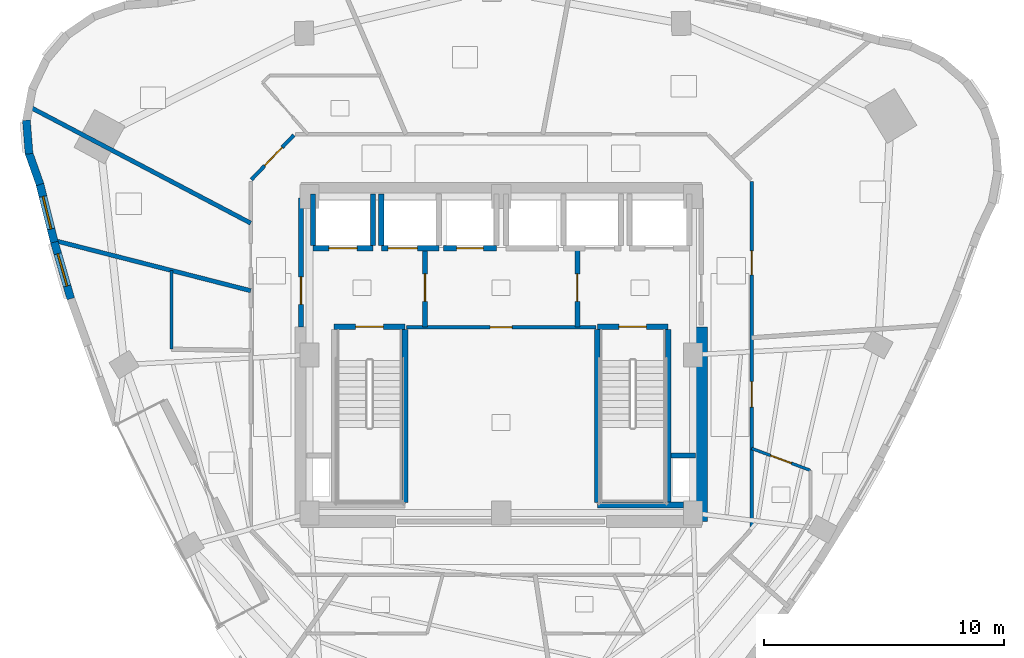
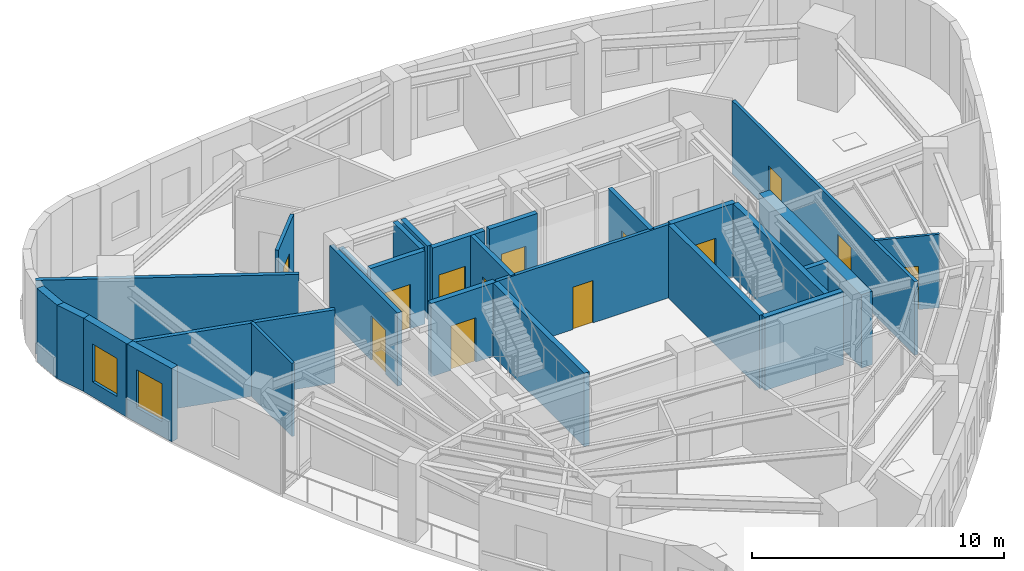
# One storey, part 7 of 12: 28 walls, 13 doors, 2 windows, 15 openings.
"""IFC4 building model written with IfcOpenShell, lengths in metres."""

from ifc_helpers import new_model, si_unit, direction, frame, frame_2d, origin, place, context, subcontext, project, spatial, rectangle, extrude, material, layer, layer_set, type_object, element, fill, save


model = new_model("IFC4")

# Units and contexts
model_context = context("Model", 3, precision=1e-05, world=origin(), true_north=direction((0.0, 1.0)))
body_context = subcontext(model_context, "Body", "Model", "MODEL_VIEW")
ifc_project = project(units=[si_unit("LENGTHUNIT", "METRE"), si_unit("AREAUNIT", "SQUARE_METRE"), si_unit("VOLUMEUNIT", "CUBIC_METRE"), si_unit("PLANEANGLEUNIT", "RADIAN"), si_unit("MASSUNIT", "GRAM", prefix="KILO")], contexts=[model_context])

# Site, building, storey
site_placement = place(None, origin())
site = spatial("IfcSite", under=ifc_project, at=site_placement, CompositionType="ELEMENT")
building_placement = place(site_placement, origin())
building = spatial("IfcBuilding", under=site, at=building_placement, Name="Ndelora Gate Hotel", CompositionType="ELEMENT")
storey_placement = place(building_placement, frame((0.0, 0.0, 194.14990234375)))
storey = spatial("IfcBuildingStorey", under=building, at=storey_placement, Name="L48", CompositionType="ELEMENT", Elevation=194.14990234375)

# Walls
ifc_material_1 = material(Name="Acoustic Double-Stud Gypsum Assembly", Category="gypsum")
ifc_layer_1 = layer(ifc_material_1, 0.179931640625)
ifc_layer_set_1 = layer_set([ifc_layer_1], Name="Acoustic Double-Stud Gypsum Assembly")
wall_type_1 = type_object("IfcWallType", Name="WL-ACOUST-180", PredefinedType="PARTITIONING", material=ifc_layer_set_1)
wall_1_placement = place(storey_placement, frame((-10.449951171875, 5.493408203125, 0.0), z_axis=(0.0, 0.0, 1.0), x_axis=(-0.885159330624, 0.465288039187, 0.0)))
element("IfcWall", 1, at=wall_1_placement, inside=storey, type_object=wall_type_1, Name="L48 Interior Wall IW-3", PredefinedType="PARTITIONING", context=body_context, shape_type="SweptSolid", body=[
    extrude(rectangle(XDim=10.4501953125, YDim=0.179931640625, at=frame_2d((5.22509765625, 0.0))), origin(), (0.0, 0.0, 1.0), 3.550048828125),
])
wall_2_placement = place(storey_placement, frame((-10.449951171875, 2.673583984375, 0.0), z_axis=(0.0, 0.0, 1.0), x_axis=(-0.968789680245, 0.247884157321, 0.0)))
element("IfcWall", 2, at=wall_2_placement, inside=storey, type_object=wall_type_1, Name="L48 Interior Wall IW-3", PredefinedType="PARTITIONING", context=body_context, shape_type="SweptSolid", body=[
    extrude(rectangle(XDim=8.47900390625, YDim=0.179931640625, at=frame_2d((4.239501953125, 0.0))), origin(), (0.0, 0.0, 1.0), 3.550048828125),
])
ifc_material_2 = material(Name="Clay Brick Masonry", Category="masonry")
ifc_layer_2 = layer(ifc_material_2, 0.330078125)
ifc_layer_set_2 = layer_set([ifc_layer_2], Name="Clay Brick Masonry")
wall_type_2 = type_object("IfcWallType", Name="WL-BRICK-330", PredefinedType="SOLIDWALL", material=ifc_layer_set_2)
wall_3_placement = place(storey_placement, frame((-19.700927734375, 8.385986328125, 0.0), z_axis=(0.0, 0.0, 1.0), x_axis=(-0.078566409812, 0.99690888212, 0.0)))
element("IfcWall", 3, at=wall_3_placement, inside=storey, type_object=wall_type_2, Name="L48 Tower Brick Pier-and-Spandrel Wall TWR-7", PredefinedType="SOLIDWALL", context=body_context, shape_type="SweptSolid", body=[
    extrude(rectangle(XDim=1.40771484375, YDim=0.330078125, at=frame_2d((0.703857421875, 0.0))), origin(), (0.0, 0.0, 1.0), 3.550048828125),
])
wall_4_placement = place(storey_placement, frame((-19.241455078125, 7.10791015625, 0.0), z_axis=(0.0, 0.0, 1.0), x_axis=(-0.33376364871, 0.942656791627, 0.0)))
element("IfcWall", 4, at=wall_4_placement, inside=storey, type_object=wall_type_2, Name="L48 Tower Brick Pier-and-Spandrel Wall TWR-8", PredefinedType="SOLIDWALL", context=body_context, shape_type="SweptSolid", body=[
    extrude(rectangle(XDim=1.407470703125, YDim=0.330078125, at=frame_2d((0.70361328125, 0.0))), origin(), (0.0, 0.0, 1.0), 3.550048828125),
])

# Wall, opening, window
wall_5_placement = place(storey_placement, frame((-18.64599609375, 4.701416015625, 0.0), z_axis=(0.0, 0.0, 1.0), x_axis=(-0.241149785718, 0.970487908656, 0.0)))
wall_5 = element("IfcWall", 5, at=wall_5_placement, inside=storey, type_object=wall_type_2, Name="L48 Tower Brick Pier-and-Spandrel Wall TWR-9", PredefinedType="SOLIDWALL", context=body_context, shape_type="SweptSolid", body=[
    extrude(rectangle(XDim=2.529052734375, YDim=0.330078125, at=frame_2d((1.2646484375, 0.0))), origin(), (0.0, 0.0, 1.0), 3.550048828125),
])
opening_1_placement = place(wall_5_placement, frame((0.564453125, 0.0, 0.719970703125)))
opening_1 = element("IfcOpeningElement", 6, at=opening_1_placement, cuts=wall_5, Name="Opening W02", PredefinedType="OPENING", context=body_context, shape_type="SweptSolid", body=[
    extrude(rectangle(XDim=1.39990234375, YDim=1.840087890625, at=frame_2d((0.699951171875, 0.919921875))), frame((0.0, 0.175048828125, 0.0), z_axis=(0.0, -1.0, 0.0), x_axis=(1.0, 0.0, 0.0)), (0.0, 0.0, 1.0), 0.35009765625),
])
ifc_material_3 = material(Name="Insulated Low-E Double Glazing in Bronze Aluminium Frame", Category="aluminium")
window_type = type_object("IfcWindowType", Name="WN-DEEP-1400", PartitioningType="SINGLE_PANEL", PredefinedType="WINDOW", material=ifc_material_3)
window_1_placement = place(opening_1_placement, origin())
window_1 = element("IfcWindow", 7, at=window_1_placement, inside=storey, type_object=window_type, Name="L48 Deep-Set Brick-Pier Window W02", OverallHeight=1.840087890625, OverallWidth=1.39990234375, PartitioningType="SINGLE_PANEL", PredefinedType="WINDOW", context=body_context, shape_type="SweptSolid", body=[
    extrude(rectangle(XDim=1.39990234375, YDim=1.840087890625, at=frame_2d((0.699951171875, 0.919921875))), frame((0.0, 0.030029296875, 0.0), z_axis=(0.0, -1.0, 0.0), x_axis=(1.0, 0.0, 0.0)), (0.0, 0.0, 1.0), 0.06005859375),
])
fill(opening_1, window_1)

wall_6_placement = place(storey_placement, frame((-17.960205078125, 2.340087890625, 0.0), z_axis=(0.0, 0.0, 1.0), x_axis=(-0.278497522166, 0.960436947513, 0.0)))
wall_6 = element("IfcWall", 8, at=wall_6_placement, inside=storey, type_object=wall_type_2, Name="L48 Tower Brick Pier-and-Spandrel Wall TWR-10", PredefinedType="SOLIDWALL", context=body_context, shape_type="SweptSolid", body=[
    extrude(rectangle(XDim=2.509033203125, YDim=0.330078125, at=frame_2d((1.25439453125, 0.0))), origin(), (0.0, 0.0, 1.0), 3.550048828125),
])
opening_2_placement = place(wall_6_placement, frame((0.554443359375, 0.0, 0.719970703125)))
opening_2 = element("IfcOpeningElement", 9, at=opening_2_placement, cuts=wall_6, Name="Opening W02", PredefinedType="OPENING", context=body_context, shape_type="SweptSolid", body=[
    extrude(rectangle(XDim=1.39990234375, YDim=1.840087890625, at=frame_2d((0.699951171875, 0.919921875))), frame((0.0, 0.175048828125, 0.0), z_axis=(0.0, -1.0, 0.0), x_axis=(1.0, 0.0, 0.0)), (0.0, 0.0, 1.0), 0.35009765625),
])
window_2_placement = place(opening_2_placement, origin())
window_2 = element("IfcWindow", 10, at=window_2_placement, inside=storey, type_object=window_type, Name="L48 Deep-Set Brick-Pier Window W02", OverallHeight=1.840087890625, OverallWidth=1.39990234375, PartitioningType="SINGLE_PANEL", PredefinedType="WINDOW", context=body_context, shape_type="SweptSolid", body=[
    extrude(rectangle(XDim=1.39990234375, YDim=1.840087890625, at=frame_2d((0.699951171875, 0.919921875))), frame((0.0, 0.030029296875, 0.0), z_axis=(0.0, -1.0, 0.0), x_axis=(1.0, 0.0, 0.0)), (0.0, 0.0, 1.0), 0.06005859375),
])
fill(opening_2, window_2)

# Wall
ifc_material_4 = material(Name="Concrete C50/60", Category="concrete")
ifc_layer_3 = layer(ifc_material_4, 0.5)
ifc_layer_set_3 = layer_set([ifc_layer_3], Name="Concrete C50/60")
wall_type_3 = type_object("IfcWallType", Name="WL-CORE-500", PredefinedType="SHEAR", material=ifc_layer_set_3)
wall_7_placement = place(storey_placement, frame((8.35009765625, -6.949951171875, 0.0), z_axis=(0.0, 0.0, 1.0), x_axis=(0.0, 1.0, 0.0)))
element("IfcWall", 11, at=wall_7_placement, inside=storey, type_object=wall_type_3, Name="L48 Core Shear Wall E", PredefinedType="SHEAR", context=body_context, shape_type="SweptSolid", body=[
    extrude(rectangle(XDim=8.099853515625, YDim=0.5, at=frame_2d((4.0498046875, 0.0))), origin(), (0.0, 0.0, 1.0), 3.550048828125),
])

# Wall, opening, door
ifc_material_5 = material(Name="Concrete C40/50", Category="concrete")
ifc_layer_4 = layer(ifc_material_5, 0.199951171875)
ifc_layer_set_4 = layer_set([ifc_layer_4], Name="Concrete C40/50")
wall_type_4 = type_object("IfcWallType", Name="WL-FIRE-200", PredefinedType="PARTITIONING", material=ifc_layer_set_4)
wall_8_placement = place(storey_placement, frame((-3.179931640625, 1.14990234375, 0.0), z_axis=(0.0, 0.0, 1.0), x_axis=(0.0, 1.0, 0.0)))
wall_8 = element("IfcWall", 12, at=wall_8_placement, inside=storey, type_object=wall_type_4, Name="L48 Interior Wall IW-2", PredefinedType="PARTITIONING", context=body_context, shape_type="SweptSolid", body=[
    extrude(rectangle(XDim=3.300048828125, YDim=0.199951171875, at=frame_2d((1.64990234375, 0.0))), origin(), (0.0, 0.0, 1.0), 3.550048828125),
])
opening_3_placement = place(wall_8_placement, frame((1.080078125, 0.0, 0.0)))
opening_3 = element("IfcOpeningElement", 13, at=opening_3_placement, cuts=wall_8, Name="Opening FD1", PredefinedType="OPENING", context=body_context, shape_type="SweptSolid", body=[
    extrude(rectangle(XDim=1.14990234375, YDim=2.14990234375, at=frame_2d((0.574951171875, 1.074951171875))), frame((0.0, 0.10986328125, 0.0), z_axis=(0.0, -1.0, 0.0), x_axis=(1.0, 0.0, 0.0)), (0.0, 0.0, 1.0), 0.219970703125),
])
ifc_material_6 = material(Name="Fire-Rated Timber-Veneer Steel Core", Category="steel")
door_type_1 = type_object("IfcDoorType", Name="DR-FD60", OperationType="SINGLE_SWING_LEFT", PredefinedType="DOOR", material=ifc_material_6)
door_1_placement = place(opening_3_placement, origin())
door_1 = element("IfcDoor", 14, at=door_1_placement, inside=storey, type_object=door_type_1, Name="L48 Firefighting Lobby West Door", OperationType="SINGLE_SWING_RIGHT", OverallHeight=2.14990234375, OverallWidth=1.14990234375, PredefinedType="DOOR", context=body_context, shape_type="SweptSolid", body=[
    extrude(rectangle(XDim=1.14990234375, YDim=2.14990234375, at=frame_2d((0.574951171875, 1.074951171875))), frame((0.0, 0.02490234375, 0.0), z_axis=(0.0, -1.0, 0.0), x_axis=(1.0, 0.0, 0.0)), (0.0, 0.0, 1.0), 0.050048828125),
])
fill(opening_3, door_1)

wall_9_placement = place(storey_placement, frame((3.179931640625, 1.14990234375, 0.0), z_axis=(0.0, 0.0, 1.0), x_axis=(0.0, 1.0, 0.0)))
wall_9 = element("IfcWall", 15, at=wall_9_placement, inside=storey, type_object=wall_type_4, Name="L48 Interior Wall IW-2", PredefinedType="PARTITIONING", context=body_context, shape_type="SweptSolid", body=[
    extrude(rectangle(XDim=3.300048828125, YDim=0.199951171875, at=frame_2d((1.64990234375, 0.0))), origin(), (0.0, 0.0, 1.0), 3.550048828125),
])
opening_4_placement = place(wall_9_placement, frame((1.080078125, 0.0, 0.0)))
opening_4 = element("IfcOpeningElement", 16, at=opening_4_placement, cuts=wall_9, Name="Opening FD1", PredefinedType="OPENING", context=body_context, shape_type="SweptSolid", body=[
    extrude(rectangle(XDim=1.14990234375, YDim=2.14990234375, at=frame_2d((0.574951171875, 1.074951171875))), frame((0.0, 0.10986328125, 0.0), z_axis=(0.0, -1.0, 0.0), x_axis=(1.0, 0.0, 0.0)), (0.0, 0.0, 1.0), 0.219970703125),
])
door_2_placement = place(opening_4_placement, origin())
door_2 = element("IfcDoor", 17, at=door_2_placement, inside=storey, type_object=door_type_1, Name="L48 Firefighting Lobby East Door", OperationType="SINGLE_SWING_LEFT", OverallHeight=2.14990234375, OverallWidth=1.14990234375, PredefinedType="DOOR", context=body_context, shape_type="SweptSolid", body=[
    extrude(rectangle(XDim=1.14990234375, YDim=2.14990234375, at=frame_2d((0.574951171875, 1.074951171875))), frame((0.0, 0.02490234375, 0.0), z_axis=(0.0, -1.0, 0.0), x_axis=(1.0, 0.0, 0.0)), (0.0, 0.0, 1.0), 0.050048828125),
])
fill(opening_4, door_2)

wall_10_placement = place(storey_placement, frame((-8.35009765625, 1.14990234375, 0.0), z_axis=(0.0, 0.0, 1.0), x_axis=(0.0, 1.0, 0.0)))
wall_10 = element("IfcWall", 18, at=wall_10_placement, inside=storey, type_object=wall_type_4, Name="L48 Interior Wall IW-2", PredefinedType="PARTITIONING", context=body_context, shape_type="SweptSolid", body=[
    extrude(rectangle(XDim=5.400146484375, YDim=0.199951171875, at=frame_2d((2.7001953125, 0.0))), origin(), (0.0, 0.0, 1.0), 3.550048828125),
])
opening_5_placement = place(wall_10_placement, frame((0.949951171875, 0.0, 0.0)))
opening_5 = element("IfcOpeningElement", 19, at=opening_5_placement, cuts=wall_10, Name="Opening FD1", PredefinedType="OPENING", context=body_context, shape_type="SweptSolid", body=[
    extrude(rectangle(XDim=1.14990234375, YDim=2.14990234375, at=frame_2d((0.574951171875, 1.074951171875))), frame((0.0, 0.10986328125, 0.0), z_axis=(0.0, -1.0, 0.0), x_axis=(1.0, 0.0, 0.0)), (0.0, 0.0, 1.0), 0.219970703125),
])
door_3_placement = place(opening_5_placement, origin())
door_3 = element("IfcDoor", 20, at=door_3_placement, inside=storey, type_object=door_type_1, Name="L48 Firefighting Lobby West Corridor Door", OperationType="SINGLE_SWING_LEFT", OverallHeight=2.14990234375, OverallWidth=1.14990234375, PredefinedType="DOOR", context=body_context, shape_type="SweptSolid", body=[
    extrude(rectangle(XDim=1.14990234375, YDim=2.14990234375, at=frame_2d((0.574951171875, 1.074951171875))), frame((0.0, 0.02490234375, 0.0), z_axis=(0.0, -1.0, 0.0), x_axis=(1.0, 0.0, 0.0)), (0.0, 0.0, 1.0), 0.050048828125),
])
fill(opening_5, door_3)

ifc_material_7 = material(Name="Fire-Rated Gypsum Stud Partition", Category="gypsum")
ifc_layer_5 = layer(ifc_material_7, 0.14990234375)
ifc_layer_set_5 = layer_set([ifc_layer_5], Name="Fire-Rated Gypsum Stud Partition")
wall_type_5 = type_object("IfcWallType", Name="WL-PART-150", PredefinedType="PARTITIONING", material=ifc_layer_set_5)
wall_11_placement = place(storey_placement, frame((3.949951171875, 1.14990234375, 0.0), z_axis=(0.0, 0.0, 1.0), x_axis=(-1.0, 0.0, 0.0)))
wall_11 = element("IfcWall", 21, at=wall_11_placement, inside=storey, type_object=wall_type_5, Name="L48 Interior Wall IW-5", PredefinedType="PARTITIONING", context=body_context, shape_type="SweptSolid", body=[
    extrude(rectangle(XDim=7.89990234375, YDim=0.14990234375, at=frame_2d((3.949951171875, 0.0))), origin(), (0.0, 0.0, 1.0), 3.550048828125),
])
opening_6_placement = place(wall_11_placement, frame((3.489990234375, 0.0, 0.0)))
opening_6 = element("IfcOpeningElement", 22, at=opening_6_placement, cuts=wall_11, Name="Opening D04", PredefinedType="OPENING", context=body_context, shape_type="SweptSolid", body=[
    extrude(rectangle(XDim=0.919921875, YDim=2.050048828125, at=frame_2d((0.4599609375, 1.02490234375))), frame((0.0, 0.0849609375, 0.0), z_axis=(0.0, -1.0, 0.0), x_axis=(1.0, 0.0, 0.0)), (0.0, 0.0, 1.0), 0.169921875),
])
ifc_material_8 = material(Name="Painted Steel Core Service Door", Category="steel")
door_type_2 = type_object("IfcDoorType", Name="DR-SER-920", OperationType="SINGLE_SWING_LEFT", PredefinedType="DOOR", material=ifc_material_8)
door_4_placement = place(opening_6_placement, origin())
door_4 = element("IfcDoor", 23, at=door_4_placement, inside=storey, type_object=door_type_2, Name="L48 Core Electrical and Linen Service Store Door", OperationType="SINGLE_SWING_LEFT", OverallHeight=2.050048828125, OverallWidth=0.919921875, PredefinedType="DOOR", context=body_context, shape_type="SweptSolid", body=[
    extrude(rectangle(XDim=0.919921875, YDim=2.050048828125, at=frame_2d((0.4599609375, 1.02490234375))), frame((0.0, 0.02490234375, 0.0), z_axis=(0.0, -1.0, 0.0), x_axis=(1.0, 0.0, 0.0)), (0.0, 0.0, 1.0), 0.050048828125),
])
fill(opening_6, door_4)

# Wall, openings, doors
wall_12_placement = place(storey_placement, frame((10.449951171875, 7.239990234375, 0.0), z_axis=(0.0, 0.0, 1.0), x_axis=(0.0, -1.0, 0.0)))
wall_12 = element("IfcWall", 24, at=wall_12_placement, inside=storey, type_object=wall_type_5, Name="L48 Interior Wall IW-5", PredefinedType="PARTITIONING", context=body_context, shape_type="SweptSolid", body=[
    extrude(rectangle(XDim=14.47998046875, YDim=0.14990234375, at=frame_2d((7.239990234375, 0.0))), origin(), (0.0, 0.0, 1.0), 3.550048828125),
])
opening_7_placement = place(wall_12_placement, frame((8.36181640625, 0.0, 0.0)))
opening_7 = element("IfcOpeningElement", 25, at=opening_7_placement, cuts=wall_12, Name="Opening D07", PredefinedType="OPENING", context=body_context, shape_type="SweptSolid", body=[
    extrude(rectangle(XDim=1.06005859375, YDim=2.14990234375, at=frame_2d((0.530029296875, 1.074951171875))), frame((0.0, 0.0849609375, 0.0), z_axis=(0.0, -1.0, 0.0), x_axis=(1.0, 0.0, 0.0)), (0.0, 0.0, 1.0), 0.169921875),
])
opening_8_placement = place(wall_12_placement, frame((2.904541015625, 0.0, 0.0)))
opening_8 = element("IfcOpeningElement", 26, at=opening_8_placement, cuts=wall_12, Name="Opening D01", PredefinedType="OPENING", context=body_context, shape_type="SweptSolid", body=[
    extrude(rectangle(XDim=1.0, YDim=2.14990234375, at=frame_2d((0.5, 1.074951171875))), frame((0.0, 0.0849609375, 0.0), z_axis=(0.0, -1.0, 0.0), x_axis=(1.0, 0.0, 0.0)), (0.0, 0.0, 1.0), 0.169921875),
])
ifc_material_9 = material(Name="Acoustic Hardwood Guest Entrance Door", Category="wood")
door_type_3 = type_object("IfcDoorType", Name="DR-COR-1000", OperationType="SINGLE_SWING_LEFT", PredefinedType="DOOR", material=ifc_material_9)
door_5_placement = place(opening_8_placement, origin())
door_5 = element("IfcDoor", 27, at=door_5_placement, inside=storey, type_object=door_type_3, Name="L48 Summit Boardroom Office Entrance Door", OperationType="SINGLE_SWING_RIGHT", OverallHeight=2.14990234375, OverallWidth=1.0, PredefinedType="DOOR", context=body_context, shape_type="SweptSolid", body=[
    extrude(rectangle(XDim=1.0, YDim=2.14990234375, at=frame_2d((0.5, 1.074951171875))), frame((0.0, 0.02490234375, 0.0), z_axis=(0.0, -1.0, 0.0), x_axis=(1.0, 0.0, 0.0)), (0.0, 0.0, 1.0), 0.050048828125),
])
fill(opening_8, door_5)
ifc_material_10 = material(Name="Diplomatic Suite Acoustic Entrance Door", Category="wood")
door_type_4 = type_object("IfcDoorType", Name="DR-SUITE-1060", OperationType="SINGLE_SWING_LEFT", PredefinedType="DOOR", material=ifc_material_10)
door_6_placement = place(opening_7_placement, origin())
door_6 = element("IfcDoor", 28, at=door_6_placement, inside=storey, type_object=door_type_4, Name="L48 Diplomatic Sky Suite 5103 Entrance Door", OperationType="SINGLE_SWING_RIGHT", OverallHeight=2.14990234375, OverallWidth=1.06005859375, PredefinedType="DOOR", context=body_context, shape_type="SweptSolid", body=[
    extrude(rectangle(XDim=1.06005859375, YDim=2.14990234375, at=frame_2d((0.530029296875, 1.074951171875))), frame((0.0, 0.02490234375, 0.0), z_axis=(0.0, -1.0, 0.0), x_axis=(1.0, 0.0, 0.0)), (0.0, 0.0, 1.0), 0.050048828125),
])
fill(opening_7, door_6)

# Wall, opening, door
wall_13_placement = place(storey_placement, frame((-10.42236328125, 7.30908203125, 0.0), z_axis=(0.0, 0.0, 1.0), x_axis=(0.689960858356, 0.723846678473, 0.0)))
wall_13 = element("IfcWall", 29, at=wall_13_placement, inside=storey, type_object=wall_type_5, Name="L48 Interior Wall IW-5", PredefinedType="PARTITIONING", context=body_context, shape_type="SweptSolid", body=[
    extrude(rectangle(XDim=2.572021484375, YDim=0.14990234375, at=frame_2d((1.2861328125, 0.0))), origin(), (0.0, 0.0, 1.0), 3.550048828125),
])
opening_9_placement = place(wall_13_placement, frame((0.796142578125, 0.0, 0.0)))
opening_9 = element("IfcOpeningElement", 30, at=opening_9_placement, cuts=wall_13, Name="Opening D07", PredefinedType="OPENING", context=body_context, shape_type="SweptSolid", body=[
    extrude(rectangle(XDim=1.06005859375, YDim=2.14990234375, at=frame_2d((0.530029296875, 1.074951171875))), frame((0.0, 0.0849609375, 0.0), z_axis=(0.0, -1.0, 0.0), x_axis=(1.0, 0.0, 0.0)), (0.0, 0.0, 1.0), 0.169921875),
])
door_7_placement = place(opening_9_placement, origin())
door_7 = element("IfcDoor", 31, at=door_7_placement, inside=storey, type_object=door_type_4, Name="L48 Altitude King Junior Suite 5104 Entrance Door", OperationType="SINGLE_SWING_LEFT", OverallHeight=2.14990234375, OverallWidth=1.06005859375, PredefinedType="DOOR", context=body_context, shape_type="SweptSolid", body=[
    extrude(rectangle(XDim=1.06005859375, YDim=2.14990234375, at=frame_2d((0.530029296875, 1.074951171875))), frame((0.0, 0.02490234375, 0.0), z_axis=(0.0, -1.0, 0.0), x_axis=(1.0, 0.0, 0.0)), (0.0, 0.0, 1.0), 0.050048828125),
])
fill(opening_9, door_7)

# Wall
ifc_layer_6 = layer(ifc_material_5, 0.219970703125)
ifc_layer_set_6 = layer_set([ifc_layer_6], Name="Concrete C40/50")
wall_type_6 = type_object("IfcWallType", Name="WL-SHAFT-220", PredefinedType="PARTITIONING", material=ifc_layer_set_6)
wall_14_placement = place(storey_placement, frame((7.090087890625, -4.199951171875, 0.0), z_axis=(0.0, 0.0, 1.0), x_axis=(1.0, 0.0, 0.0)))
element("IfcWall", 32, at=wall_14_placement, inside=storey, type_object=wall_type_6, Name="L48 Interior Wall IW-1", PredefinedType="PARTITIONING", context=body_context, shape_type="SweptSolid", body=[
    extrude(rectangle(XDim=1.010009765625, YDim=0.219970703125, at=frame_2d((0.5048828125, 0.0))), origin(), (0.0, 0.0, 1.0), 3.550048828125),
])

# Wall, opening, door
wall_15_placement = place(storey_placement, frame((-7.85009765625, 4.449951171875, 0.0), z_axis=(0.0, 0.0, 1.0), x_axis=(1.0, 0.0, 0.0)))
wall_15 = element("IfcWall", 33, at=wall_15_placement, inside=storey, type_object=wall_type_6, Name="L48 Interior Wall IW-1", PredefinedType="PARTITIONING", context=body_context, shape_type="SweptSolid", body=[
    extrude(rectangle(XDim=2.5, YDim=0.219970703125, at=frame_2d((1.25, 0.0))), origin(), (0.0, 0.0, 1.0), 3.550048828125),
])
opening_10_placement = place(wall_15_placement, frame((0.659912109375, 0.0, 0.0)))
opening_10 = element("IfcOpeningElement", 34, at=opening_10_placement, cuts=wall_15, Name="Opening LD5", PredefinedType="OPENING", context=body_context, shape_type="SweptSolid", body=[
    extrude(rectangle(XDim=1.179931640625, YDim=2.14990234375, at=frame_2d((0.58984375, 1.074951171875))), frame((0.0, 0.1201171875, 0.0), z_axis=(0.0, -1.0, 0.0), x_axis=(1.0, 0.0, 0.0)), (0.0, 0.0, 1.0), 0.239990234375),
])
ifc_material_11 = material(Name="Firefighting Lift Stainless Sliding Landing Door", Category="metal")
door_type_5 = type_object("IfcDoorType", Name="DR-LD5", OperationType="DOUBLE_DOOR_SLIDING", PredefinedType="DOOR", material=ifc_material_11)
door_8_placement = place(opening_10_placement, origin())
door_8 = element("IfcDoor", 35, at=door_8_placement, inside=storey, type_object=door_type_5, Name="L48 Lift Landing Sliding Door FFL1", OperationType="DOUBLE_DOOR_SLIDING", OverallHeight=2.14990234375, OverallWidth=1.179931640625, PredefinedType="DOOR", context=body_context, shape_type="SweptSolid", body=[
    extrude(rectangle(XDim=1.179931640625, YDim=2.14990234375, at=frame_2d((0.58984375, 1.074951171875))), frame((0.0, 0.02490234375, 0.0), z_axis=(0.0, -1.0, 0.0), x_axis=(1.0, 0.0, 0.0)), (0.0, 0.0, 1.0), 0.050048828125),
])
fill(opening_10, door_8)

# Walls
wall_16_placement = place(storey_placement, frame((-7.85009765625, 4.570068359375, 0.0), z_axis=(0.0, 0.0, 1.0), x_axis=(0.0, 1.0, 0.0)))
element("IfcWall", 36, at=wall_16_placement, inside=storey, type_object=wall_type_6, Name="L48 Interior Wall IW-1", PredefinedType="PARTITIONING", context=body_context, shape_type="SweptSolid", body=[
    extrude(rectangle(XDim=2.1298828125, YDim=0.219970703125, at=frame_2d((1.06494140625, 0.0))), origin(), (0.0, 0.0, 1.0), 3.18017578125),
])
wall_17_placement = place(storey_placement, frame((-5.35009765625, 4.570068359375, 0.0), z_axis=(0.0, 0.0, 1.0), x_axis=(0.0, 1.0, 0.0)))
element("IfcWall", 37, at=wall_17_placement, inside=storey, type_object=wall_type_6, Name="L48 Interior Wall IW-1", PredefinedType="PARTITIONING", context=body_context, shape_type="SweptSolid", body=[
    extrude(rectangle(XDim=2.1298828125, YDim=0.219970703125, at=frame_2d((1.06494140625, 0.0))), origin(), (0.0, 0.0, 1.0), 3.550048828125),
])

# Wall, opening, door
wall_18_placement = place(storey_placement, frame((-5.0, 4.449951171875, 0.0), z_axis=(0.0, 0.0, 1.0), x_axis=(1.0, 0.0, 0.0)))
wall_18 = element("IfcWall", 38, at=wall_18_placement, inside=storey, type_object=wall_type_6, Name="L48 Interior Wall IW-1", PredefinedType="PARTITIONING", context=body_context, shape_type="SweptSolid", body=[
    extrude(rectangle(XDim=2.39990234375, YDim=0.219970703125, at=frame_2d((1.199951171875, 0.0))), origin(), (0.0, 0.0, 1.0), 3.550048828125),
])
opening_11_placement = place(wall_18_placement, frame((0.280029296875, 0.0, 0.0)))
opening_11 = element("IfcOpeningElement", 39, at=opening_11_placement, cuts=wall_18, Name="Opening LD6", PredefinedType="OPENING", context=body_context, shape_type="SweptSolid", body=[
    extrude(rectangle(XDim=1.219970703125, YDim=2.14990234375, at=frame_2d((0.60986328125, 1.074951171875))), frame((0.0, 0.1201171875, 0.0), z_axis=(0.0, -1.0, 0.0), x_axis=(1.0, 0.0, 0.0)), (0.0, 0.0, 1.0), 0.239990234375),
])
ifc_material_12 = material(Name="Heavy-Duty Service Lift Sliding Landing Door", Category="wood")
door_type_6 = type_object("IfcDoorType", Name="DR-LD6", OperationType="DOUBLE_DOOR_SLIDING", PredefinedType="DOOR", material=ifc_material_12)
door_9_placement = place(opening_11_placement, origin())
door_9 = element("IfcDoor", 40, at=door_9_placement, inside=storey, type_object=door_type_6, Name="L48 Lift Landing Sliding Door SVL1", OperationType="DOUBLE_DOOR_SLIDING", OverallHeight=2.14990234375, OverallWidth=1.219970703125, PredefinedType="DOOR", context=body_context, shape_type="SweptSolid", body=[
    extrude(rectangle(XDim=1.219970703125, YDim=2.14990234375, at=frame_2d((0.60986328125, 1.074951171875))), frame((0.0, 0.02490234375, 0.0), z_axis=(0.0, -1.0, 0.0), x_axis=(1.0, 0.0, 0.0)), (0.0, 0.0, 1.0), 0.050048828125),
])
fill(opening_11, door_9)

# Wall
wall_19_placement = place(storey_placement, frame((-5.0, 4.570068359375, 0.0), z_axis=(0.0, 0.0, 1.0), x_axis=(0.0, 1.0, 0.0)))
element("IfcWall", 41, at=wall_19_placement, inside=storey, type_object=wall_type_6, Name="L48 Interior Wall IW-1", PredefinedType="PARTITIONING", context=body_context, shape_type="SweptSolid", body=[
    extrude(rectangle(XDim=2.1298828125, YDim=0.219970703125, at=frame_2d((1.06494140625, 0.0))), origin(), (0.0, 0.0, 1.0), 3.550048828125),
])

# Wall, opening, door
wall_20_placement = place(storey_placement, frame((-2.39990234375, 4.449951171875, 0.0), z_axis=(0.0, 0.0, 1.0), x_axis=(1.0, 0.0, 0.0)))
wall_20 = element("IfcWall", 42, at=wall_20_placement, inside=storey, type_object=wall_type_6, Name="L48 Interior Wall IW-1", PredefinedType="PARTITIONING", context=body_context, shape_type="SweptSolid", body=[
    extrude(rectangle(XDim=2.199951171875, YDim=0.219970703125, at=frame_2d((1.10009765625, 0.0))), origin(), (0.0, 0.0, 1.0), 3.550048828125),
])
opening_12_placement = place(wall_20_placement, frame((0.5400390625, 0.0, 0.0)))
opening_12 = element("IfcOpeningElement", 43, at=opening_12_placement, cuts=wall_20, Name="Opening LD3", PredefinedType="OPENING", context=body_context, shape_type="SweptSolid", body=[
    extrude(rectangle(XDim=1.1201171875, YDim=2.14990234375, at=frame_2d((0.56005859375, 1.074951171875))), frame((0.0, 0.1201171875, 0.0), z_axis=(0.0, -1.0, 0.0), x_axis=(1.0, 0.0, 0.0)), (0.0, 0.0, 1.0), 0.239990234375),
])
ifc_material_13 = material(Name="Brushed Bronze Stainless Lift Landing Door", Category="metal")
door_type_7 = type_object("IfcDoorType", Name="DR-LD3", OperationType="DOUBLE_DOOR_SLIDING", PredefinedType="DOOR", material=ifc_material_13)
door_10_placement = place(opening_12_placement, origin())
door_10 = element("IfcDoor", 44, at=door_10_placement, inside=storey, type_object=door_type_7, Name="L48 Lift Landing Sliding Door P3A", OperationType="DOUBLE_DOOR_SLIDING", OverallHeight=2.14990234375, OverallWidth=1.1201171875, PredefinedType="DOOR", context=body_context, shape_type="SweptSolid", body=[
    extrude(rectangle(XDim=1.1201171875, YDim=2.14990234375, at=frame_2d((0.56005859375, 1.074951171875))), frame((0.0, 0.02490234375, 0.0), z_axis=(0.0, -1.0, 0.0), x_axis=(1.0, 0.0, 0.0)), (0.0, 0.0, 1.0), 0.050048828125),
])
fill(opening_12, door_10)

# Wall
ifc_layer_7 = layer(ifc_material_4, 0.239990234375)
ifc_layer_set_7 = layer_set([ifc_layer_7], Name="Concrete C50/60")
wall_type_7 = type_object("IfcWallType", Name="WL-STAIR-240", PredefinedType="SHEAR", material=ifc_layer_set_7)
wall_21_placement = place(storey_placement, frame((-4.010009765625, -6.159912109375, 0.0), z_axis=(0.0, 0.0, 1.0), x_axis=(0.0, 1.0, 0.0)))
element("IfcWall", 45, at=wall_21_placement, inside=storey, type_object=wall_type_7, Name="L48 Stair Core Shear Wall SW-ST", PredefinedType="SHEAR", context=body_context, shape_type="SweptSolid", body=[
    extrude(rectangle(XDim=7.219970703125, YDim=0.239990234375, at=frame_2d((3.60986328125, 0.0))), origin(), (0.0, 0.0, 1.0), 3.550048828125),
])

# Wall, opening, door
wall_22_placement = place(storey_placement, frame((-6.969970703125, 1.169921875, 0.0), z_axis=(0.0, 0.0, 1.0), x_axis=(1.0, 0.0, 0.0)))
wall_22 = element("IfcWall", 46, at=wall_22_placement, inside=storey, type_object=wall_type_7, Name="L48 Stair Core Shear Wall SW-ST", PredefinedType="SHEAR", context=body_context, shape_type="SweptSolid", body=[
    extrude(rectangle(XDim=2.9599609375, YDim=0.239990234375, at=frame_2d((1.47998046875, 0.0))), origin(), (0.0, 0.0, 1.0), 3.550048828125),
])
opening_13_placement = place(wall_22_placement, frame((0.89990234375, 0.0, 0.0)))
opening_13 = element("IfcOpeningElement", 47, at=opening_13_placement, cuts=wall_22, Name="Opening FD1", PredefinedType="OPENING", context=body_context, shape_type="SweptSolid", body=[
    extrude(rectangle(XDim=1.14990234375, YDim=2.14990234375, at=frame_2d((0.574951171875, 1.074951171875))), frame((0.0, 0.1298828125, 0.0), z_axis=(0.0, -1.0, 0.0), x_axis=(1.0, 0.0, 0.0)), (0.0, 0.0, 1.0), 0.260009765625),
])
door_11_placement = place(opening_13_placement, origin())
door_11 = element("IfcDoor", 48, at=door_11_placement, inside=storey, type_object=door_type_1, Name="L48 Exit Stair ST4 Door", OperationType="SINGLE_SWING_LEFT", OverallHeight=2.14990234375, OverallWidth=1.14990234375, PredefinedType="DOOR", context=body_context, shape_type="SweptSolid", body=[
    extrude(rectangle(XDim=1.14990234375, YDim=2.14990234375, at=frame_2d((0.574951171875, 1.074951171875))), frame((0.0, 0.02490234375, 0.0), z_axis=(0.0, -1.0, 0.0), x_axis=(1.0, 0.0, 0.0)), (0.0, 0.0, 1.0), 0.050048828125),
])
fill(opening_13, door_11)

# Walls
for number, where, z_axis, x_axis, name in (
    (49, (4.010009765625, -6.159912109375, 0.0), (0.0, 0.0, 1.0), (0.0, 1.0, 0.0), "L48 Stair Core Shear Wall SW-ST"),
    (50, (6.969970703125, -6.159912109375, 0.0), (0.0, 0.0, 1.0), (0.0, 1.0, 0.0), "L48 Stair Core Shear Wall SW-ST"),
):
    element("IfcWall", number, at=place(storey_placement, frame(where, z_axis=z_axis, x_axis=x_axis)), inside=storey, type_object=wall_type_7, Name=name, PredefinedType="SHEAR", context=body_context, shape_type="SweptSolid", body=[
        extrude(rectangle(XDim=7.219970703125, YDim=0.239990234375, at=frame_2d((3.60986328125, 0.0))), origin(), (0.0, 0.0, 1.0), 3.550048828125),
    ])
wall_23_placement = place(storey_placement, frame((4.010009765625, -6.27001953125, 0.0), z_axis=(0.0, 0.0, 1.0), x_axis=(1.0, 0.0, 0.0)))
element("IfcWall", 51, at=wall_23_placement, inside=storey, type_object=wall_type_7, Name="L48 Stair Core Shear Wall SW-ST", PredefinedType="SHEAR", context=body_context, shape_type="SweptSolid", body=[
    extrude(rectangle(XDim=3.590087890625, YDim=0.239990234375, at=frame_2d((1.794921875, 0.0))), origin(), (0.0, 0.0, 1.0), 3.550048828125),
])

# Wall, opening, door
wall_24_placement = place(storey_placement, frame((4.010009765625, 1.169921875, 0.0), z_axis=(0.0, 0.0, 1.0), x_axis=(1.0, 0.0, 0.0)))
wall_24 = element("IfcWall", 52, at=wall_24_placement, inside=storey, type_object=wall_type_7, Name="L48 Stair Core Shear Wall SW-ST", PredefinedType="SHEAR", context=body_context, shape_type="SweptSolid", body=[
    extrude(rectangle(XDim=2.9599609375, YDim=0.239990234375, at=frame_2d((1.47998046875, 0.0))), origin(), (0.0, 0.0, 1.0), 3.550048828125),
])
opening_14_placement = place(wall_24_placement, frame((0.89990234375, 0.0, 0.0)))
opening_14 = element("IfcOpeningElement", 53, at=opening_14_placement, cuts=wall_24, Name="Opening FD1", PredefinedType="OPENING", context=body_context, shape_type="SweptSolid", body=[
    extrude(rectangle(XDim=1.14990234375, YDim=2.14990234375, at=frame_2d((0.574951171875, 1.074951171875))), frame((0.0, 0.1298828125, 0.0), z_axis=(0.0, -1.0, 0.0), x_axis=(1.0, 0.0, 0.0)), (0.0, 0.0, 1.0), 0.260009765625),
])
door_12_placement = place(opening_14_placement, origin())
door_12 = element("IfcDoor", 54, at=door_12_placement, inside=storey, type_object=door_type_1, Name="L48 Exit Stair ST5 Door", OperationType="SINGLE_SWING_RIGHT", OverallHeight=2.14990234375, OverallWidth=1.14990234375, PredefinedType="DOOR", context=body_context, shape_type="SweptSolid", body=[
    extrude(rectangle(XDim=1.14990234375, YDim=2.14990234375, at=frame_2d((0.574951171875, 1.074951171875))), frame((0.0, 0.02490234375, 0.0), z_axis=(0.0, -1.0, 0.0), x_axis=(1.0, 0.0, 0.0)), (0.0, 0.0, 1.0), 0.050048828125),
])
fill(opening_14, door_12)

ifc_material_14 = material(Name="Moisture-Resistant Bathroom Tile Partition", Category="gypsum")
ifc_layer_8 = layer(ifc_material_14, 0.1201171875)
ifc_layer_set_8 = layer_set([ifc_layer_8], Name="Moisture-Resistant Bathroom Tile Partition")
wall_type_8 = type_object("IfcWallType", Name="WL-WET-120", PredefinedType="PARTITIONING", material=ifc_layer_set_8)
wall_25_placement = place(storey_placement, frame((10.449951171875, -3.905517578125, 0.0), z_axis=(0.0, 0.0, 1.0), x_axis=(0.936731357681, -0.350049087325, 0.0)))
wall_25 = element("IfcWall", 55, at=wall_25_placement, inside=storey, type_object=wall_type_8, Name="L48 Interior Wall IW-7", PredefinedType="PARTITIONING", context=body_context, shape_type="SweptSolid", body=[
    extrude(rectangle(XDim=2.615478515625, YDim=0.1201171875, at=frame_2d((1.3076171875, 0.0))), origin(), (0.0, 0.0, 1.0), 3.550048828125),
])
opening_15_placement = place(wall_25_placement, frame((0.84765625, 0.0, 0.0)))
opening_15 = element("IfcOpeningElement", 56, at=opening_15_placement, cuts=wall_25, Name="Opening D03", PredefinedType="OPENING", context=body_context, shape_type="SweptSolid", body=[
    extrude(rectangle(XDim=0.919921875, YDim=2.10009765625, at=frame_2d((0.4599609375, 1.050048828125))), frame((0.0, 0.070068359375, 0.0), z_axis=(0.0, -1.0, 0.0), x_axis=(1.0, 0.0, 0.0)), (0.0, 0.0, 1.0), 0.14013671875),
])
ifc_material_15 = material(Name="Moisture-Resistant Hardwood En-Suite Door", Category="wood")
door_type_8 = type_object("IfcDoorType", Name="DR-BATH-920", OperationType="SINGLE_SWING_LEFT", PredefinedType="DOOR", material=ifc_material_15)
door_13_placement = place(opening_15_placement, origin())
door_13 = element("IfcDoor", 57, at=door_13_placement, inside=storey, type_object=door_type_8, Name="L48 En-suite Bathroom 5103 Door", OperationType="SINGLE_SWING_RIGHT", OverallHeight=2.10009765625, OverallWidth=0.919921875, PredefinedType="DOOR", context=body_context, shape_type="SweptSolid", body=[
    extrude(rectangle(XDim=0.919921875, YDim=2.10009765625, at=frame_2d((0.4599609375, 1.050048828125))), frame((0.0, 0.02490234375, 0.0), z_axis=(0.0, -1.0, 0.0), x_axis=(1.0, 0.0, 0.0)), (0.0, 0.0, 1.0), 0.050048828125),
])
fill(opening_15, door_13)

# Wall
ifc_material_16 = material(Name="Moisture-Resistant Fire-Rated Tile Partition", Category="gypsum")
ifc_layer_9 = layer(ifc_material_16, 0.1298828125)
ifc_layer_set_9 = layer_set([ifc_layer_9], Name="Moisture-Resistant Fire-Rated Tile Partition")
wall_type_9 = type_object("IfcWallType", Name="WL-WET-RATED", PredefinedType="PARTITIONING", material=ifc_layer_set_9)
wall_26_placement = place(storey_placement, frame((-13.75, 0.2333984375, 0.0), z_axis=(0.0, 0.0, 1.0), x_axis=(0.0, 1.0, 0.0)))
element("IfcWall", 58, at=wall_26_placement, inside=storey, type_object=wall_type_9, Name="L48 Interior Wall IW-6", PredefinedType="PARTITIONING", context=body_context, shape_type="SweptSolid", body=[
    extrude(rectangle(XDim=3.28466796875, YDim=0.1298828125, at=frame_2d((1.642333984375, 0.0))), origin(), (0.0, 0.0, 1.0), 3.550048828125),
])

save(model, "model.ifc")
